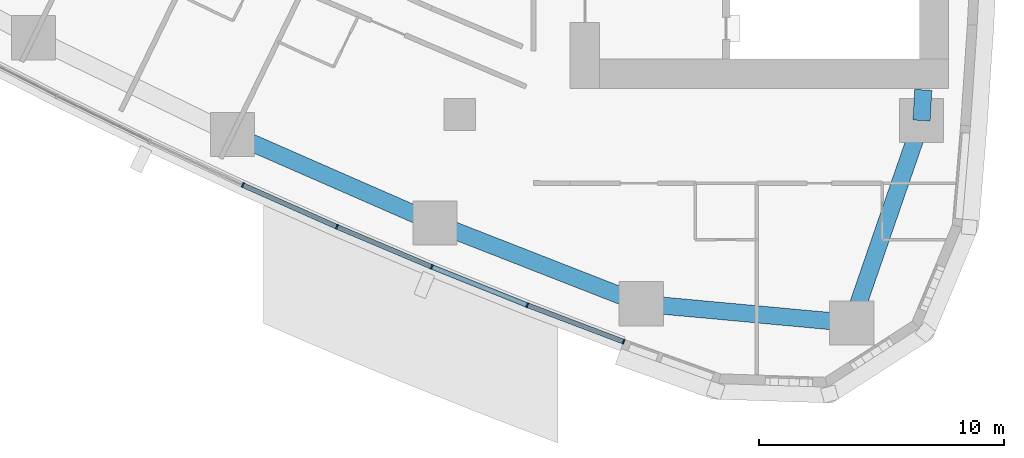
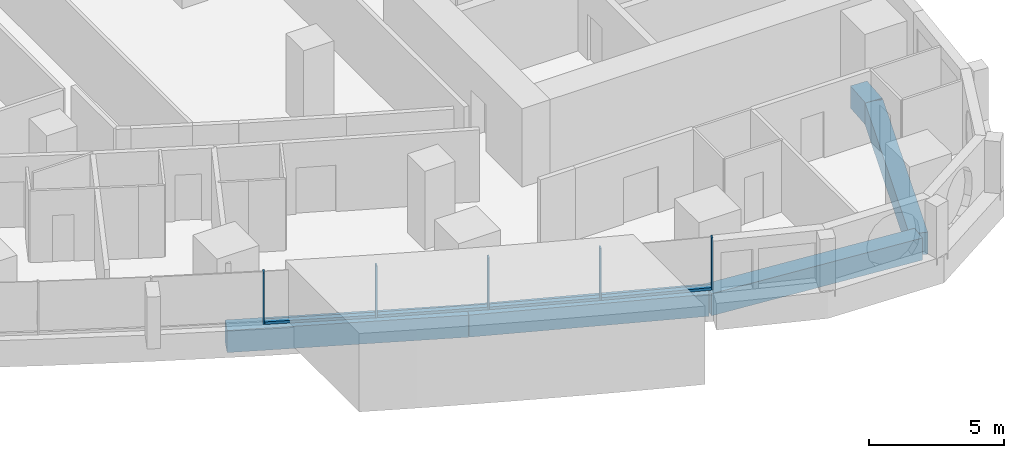
# One storey, part 3 of 19: 9 members, 5 beams, 3 elements without a shape of their own.
"""IFC4 building model written with IfcOpenShell, lengths in metres."""

import ifcopenshell
import ifcopenshell.guid

model = None  # the IFC model being written
_history = None  # IfcOwnerHistory: only IFC2X3 demands one
_inside = {}  # id of a spatial element -> (the spatial element, [elements in it])
_under = {}  # id of a project, library or spatial element -> (it, [spatial elements below it])
_declared = {}  # id of a project -> (the project, [libraries it declares])
_typed = {}  # id of a type object -> (the type object, [elements of that type])
_made_of = {}  # id of a material, layer set ... -> (it, [elements and type objects made of it])


def new_model(schema):
    """Start an empty IFC model of exactly this schema.

    Asked for "IFC4X3", IfcOpenShell would pick the latest addendum, in which some entities
    have other attributes; the version numbers below select the first issue.
    IFC2X3 requires an IfcOwnerHistory on every rooted entity: one is made here for all.
    """
    global model, _history
    if schema == "IFC4X3":
        model = ifcopenshell.file(schema_version=(4, 3, 0, 0))
    else:
        model = ifcopenshell.file(schema=schema)
    _inside.clear()
    _under.clear()
    _declared.clear()
    _typed.clear()
    _made_of.clear()
    _history = None
    if model.schema == "IFC2X3":
        org = make("IfcOrganization", Name="unknown")
        user = make(
            "IfcPersonAndOrganization",
            ThePerson=make("IfcPerson", FamilyName="unknown"),
            TheOrganization=org,
        )
        app = make(
            "IfcApplication",
            ApplicationDeveloper=org,
            Version="unknown",
            ApplicationFullName="unknown",
            ApplicationIdentifier="unknown",
        )
        _history = make(
            "IfcOwnerHistory",
            OwningUser=user,
            OwningApplication=app,
            ChangeAction="ADDED",
            CreationDate=0,
        )
    return model


def make(cls, **values):
    """One entity of the class cls with the attributes given. An attribute that is None is left unset."""
    return model.create_entity(
        cls, **{name: value for name, value in values.items() if value is not None}
    )


def rooted(cls, **values):
    """An entity with a GlobalId (a new one), such as an element, a storey or a relation."""
    return make(cls, GlobalId=ifcopenshell.guid.new(), OwnerHistory=_history, **values)


def si_unit(unit_type, name, prefix=None):
    """IfcSIUnit, for example si_unit("LENGTHUNIT", "METRE", prefix="MILLI")."""
    return make("IfcSIUnit", UnitType=unit_type, Prefix=prefix, Name=name)


def assignment(units):
    """IfcUnitAssignment: the units of a project."""
    return None if units is None else make("IfcUnitAssignment", Units=units)


def point(xyz):
    """IfcCartesianPoint."""
    return None if xyz is None else make("IfcCartesianPoint", Coordinates=xyz)


def direction(xyz):
    """IfcDirection."""
    return None if xyz is None else make("IfcDirection", DirectionRatios=xyz)


def frame(location, z_axis=None, x_axis=None):
    """IfcAxis2Placement3D, a coordinate frame: its origin and axes. An axis left out is left unset."""
    return make(
        "IfcAxis2Placement3D",
        Location=point(location),
        Axis=direction(z_axis),
        RefDirection=direction(x_axis),
    )


def frame_2d(location, x_axis=None):
    """IfcAxis2Placement2D, a coordinate frame in the plane: its origin and x axis."""
    return make(
        "IfcAxis2Placement2D", Location=point(location), RefDirection=direction(x_axis)
    )


def origin():
    """The frame at (0, 0, 0) with its axes left unset."""
    return frame((0.0, 0.0, 0.0))


def origin_2d():
    """The frame at (0, 0) in the plane with its x axis left unset."""
    return frame_2d((0.0, 0.0))


def place(relative_to, where):
    """IfcLocalPlacement: puts the frame where relative to a parent placement (None: the world)."""
    return make(
        "IfcLocalPlacement", PlacementRelTo=relative_to, RelativePlacement=where
    )


def context(
    kind, dimensions, precision=None, world=None, true_north=None, identifier=None
):
    """IfcGeometricRepresentationContext, for example the 3D "Model" context."""
    return make(
        "IfcGeometricRepresentationContext",
        ContextIdentifier=identifier,
        ContextType=kind,
        CoordinateSpaceDimension=dimensions,
        Precision=precision,
        WorldCoordinateSystem=world,
        TrueNorth=true_north,
    )


def subcontext(parent, identifier, kind, view, scale=None):
    """IfcGeometricRepresentationSubContext, for example "Body" below "Model"."""
    return make(
        "IfcGeometricRepresentationSubContext",
        ContextIdentifier=identifier,
        ContextType=kind,
        ParentContext=parent,
        TargetScale=scale,
        TargetView=view,
    )


def project(units=None, contexts=None):
    """IfcProject with its units and contexts."""
    return rooted(
        "IfcProject",
        Name="project",
        RepresentationContexts=contexts,
        UnitsInContext=assignment(units),
    )


def spatial(cls, under=None, at=None, **own):
    """A site, building, storey or space (cls), placed at a placement, below another one or the project."""
    s = rooted(cls, ObjectPlacement=at, **own)
    if under is not None:
        _under.setdefault(under.id(), (under, []))[1].append(s)
    return s


def profile(cls, at=None, kind="AREA", **sizes):
    """A parametric profile (cls). Its sizes go by their IFC names, for example OverallWidth=200.0."""
    return make(cls, ProfileType=kind, Position=at, **sizes)


def rectangle(**sizes):
    """IfcRectangleProfileDef."""
    return profile("IfcRectangleProfileDef", **sizes)


def extrude(swept, where, along, depth):
    """IfcExtrudedAreaSolid: the profile swept, set in the frame where, extruded along a direction by depth."""
    return make(
        "IfcExtrudedAreaSolid",
        SweptArea=swept,
        Position=where,
        ExtrudedDirection=direction(along),
        Depth=depth,
    )


def shape(context_of_items, identifier, shape_type, items):
    """IfcShapeRepresentation: the items that make up one representation, for example the "Body"."""
    return make(
        "IfcShapeRepresentation",
        ContextOfItems=context_of_items,
        RepresentationIdentifier=identifier,
        RepresentationType=shape_type,
        Items=items,
    )


def material(Name=None, Category=None):
    """IfcMaterial."""
    return make("IfcMaterial", Name=Name, Category=Category)


def layer(
    of_material, thickness, ventilated=None, Name=None, Category=None, Priority=None
):
    """IfcMaterialLayer: one layer of a wall or slab, of a material (None: an air gap)."""
    return make(
        "IfcMaterialLayer",
        Material=of_material,
        LayerThickness=thickness,
        IsVentilated=ventilated,
        Name=Name,
        Category=Category,
        Priority=Priority,
    )


def layer_set(layers, Name=None):
    """IfcMaterialLayerSet."""
    return make("IfcMaterialLayerSet", MaterialLayers=layers, LayerSetName=Name)


def material_profile(
    of_material, cross_section, Name=None, Category=None, Priority=None
):
    """IfcMaterialProfile: a cross section and its material."""
    return make(
        "IfcMaterialProfile",
        Name=Name,
        Material=of_material,
        Profile=cross_section,
        Priority=Priority,
        Category=Category,
    )


def profile_set(profiles, Name=None, composite=None):
    """IfcMaterialProfileSet."""
    return make(
        "IfcMaterialProfileSet",
        Name=Name,
        MaterialProfiles=profiles,
        CompositeProfile=composite,
    )


def made_of(thing, what):
    """Note that an element or type object is made of a material, layer set ...; save() writes the relation."""
    if what is not None:
        _made_of.setdefault(what.id(), (what, []))[1].append(thing)
    return thing


def type_object(cls, material=None, **own):
    """A type object (cls), such as IfcWallType, which elements share."""
    return made_of(rooted(cls, **own), material)


def element(
    cls,
    number,
    at=None,
    inside=None,
    cuts=None,
    type_object=None,
    material=None,
    context=None,
    identifier="Body",
    shape_type=None,
    held_by="IfcProductDefinitionShape",
    body=None,
    shapes=None,
    **own,
):
    """One element of the class cls, such as IfcWall. Its Tag is "e" and its number.

    at: its placement. inside: the storey or other place that contains it. cuts: it is an
    opening in that element (IfcRelVoidsElement). A single representation is given by context,
    identifier, shape_type and body (its items); several are given by shapes. held_by: the class
    of the entity that holds the representations. save() writes the other relations.
    """
    e = rooted(cls, Tag="e%d" % number, ObjectPlacement=at, **own)
    if body is not None:
        shapes = [shape(context, identifier, shape_type, body)]
    if shapes is not None:
        e.Representation = make(held_by, Representations=shapes)
    if inside is not None:
        _inside.setdefault(inside.id(), (inside, []))[1].append(e)
    if cuts is not None:
        rooted(
            "IfcRelVoidsElement", RelatingBuildingElement=cuts, RelatedOpeningElement=e
        )
    if type_object is not None:
        _typed.setdefault(type_object.id(), (type_object, []))[1].append(e)
    return made_of(e, material)


def aggregate(whole, parts):
    """IfcRelAggregates: a whole, such as a stair, and the parts it consists of."""
    return rooted("IfcRelAggregates", RelatingObject=whole, RelatedObjects=parts)


def save(model, path):
    """Write the relations noted so far, then the file.

    IfcRelAggregates (storeys below a building ...), IfcRelContainedInSpatialStructure (elements
    in a storey), IfcRelDefinesByType, IfcRelAssociatesMaterial and IfcRelDeclares: one each for
    every whole, place, type object, material and project.
    """
    for whole, parts in _under.values():
        aggregate(whole, parts)
    for where, things in _inside.values():
        rooted(
            "IfcRelContainedInSpatialStructure",
            RelatedElements=things,
            RelatingStructure=where,
        )
    for kind, things in _typed.values():
        rooted("IfcRelDefinesByType", RelatedObjects=things, RelatingType=kind)
    for what, things in _made_of.values():
        rooted("IfcRelAssociatesMaterial", RelatedObjects=things, RelatingMaterial=what)
    for by, libraries in _declared.values():
        rooted("IfcRelDeclares", RelatingContext=by, RelatedDefinitions=libraries)
    model.write(path)


model = new_model("IFC4")

# Units and contexts
model_context = context("Model", 3, precision=1e-05, world=origin(), true_north=direction((0.0, 1.0)))
body_context = subcontext(model_context, "Body", "Model", "MODEL_VIEW")
ifc_project = project(units=[si_unit("LENGTHUNIT", "METRE"), si_unit("AREAUNIT", "SQUARE_METRE"), si_unit("VOLUMEUNIT", "CUBIC_METRE"), si_unit("PLANEANGLEUNIT", "RADIAN"), si_unit("MASSUNIT", "GRAM", prefix="KILO")], contexts=[model_context])

# Site, building, storey
site_placement = place(None, origin())
site = spatial("IfcSite", under=ifc_project, at=site_placement, CompositionType="ELEMENT")
building_placement = place(site_placement, origin())
building = spatial("IfcBuilding", under=site, at=building_placement, Name="Ostrand Prow Hotel Tower", CompositionType="ELEMENT")
storey_placement = place(building_placement, frame((0.0, 0.0, 39.60009765625)))
storey = spatial("IfcBuildingStorey", under=building, at=storey_placement, Name="L07", CompositionType="ELEMENT", Elevation=39.60009765625)

# Beams
ifc_material_1 = material(Name="Concrete C80/95", Category="concrete")
ifc_material_profile_1 = material_profile(ifc_material_1, rectangle(XDim=0.699951171875, YDim=1.0, at=origin_2d()), Name="RC 700x1000")
ifc_profile_set_1 = profile_set([ifc_material_profile_1], Name="Concrete C80/95")
beam_type = type_object("IfcBeamType", Name="Edge beam 700x1000 C80/95", PredefinedType="SPANDREL", material=ifc_profile_set_1)
for number, where, z_axis, x_axis, name in (
    (1, (35.7412109375, -18.814208984375, -0.800048828125), (0.916095776162, -0.400959510297, 0.0), (0.400959510297, 0.916095776162, 0.0), "Edge beam S4-S5"),
    (2, (43.997802734375, -22.427978515625, -0.800048828125), (0.931329480916, -0.364177701098, 0.0), (0.364177701098, 0.931329480916, 0.0), "Edge beam S5-S6"),
):
    element("IfcBeam", number, at=place(storey_placement, frame(where, z_axis=z_axis, x_axis=x_axis)), inside=storey, type_object=beam_type, Name=name, PredefinedType="SPANDREL", context=body_context, shape_type="SweptSolid", body=[
        extrude(rectangle(XDim=0.699951171875, YDim=1.0, at=origin_2d()), origin(), (0.0, 0.0, 1.0), 9.0126953125),
    ])
beam_1_placement = place(storey_placement, frame((52.3916015625, -25.710205078125, -0.800048828125), z_axis=(0.995800189514, -0.091553167961, 0.0), x_axis=(0.091553167961, 0.995800189514, 0.0)))
element("IfcBeam", 3, at=beam_1_placement, inside=storey, type_object=beam_type, Name="Edge beam S6-SE", PredefinedType="SPANDREL", context=body_context, shape_type="SweptSolid", body=[
    extrude(rectangle(XDim=0.699951171875, YDim=1.0, at=origin_2d()), origin(), (0.0, 0.0, 1.0), 8.610595703125),
])
beam_2_placement = place(storey_placement, frame((60.966064453125, -26.49853515625, -0.800048828125), z_axis=(0.326263961413, 0.945278703602, 0.0), x_axis=(-0.945278703602, 0.326263961413, 0.0)))
element("IfcBeam", 4, at=beam_2_placement, inside=storey, type_object=beam_type, Name="Edge beam SE-B1", PredefinedType="SPANDREL", context=body_context, shape_type="SweptSolid", body=[
    extrude(rectangle(XDim=0.699951171875, YDim=1.0, at=origin_2d()), origin(), (0.0, 0.0, 1.0), 8.727294921875),
])
beam_3_placement = place(storey_placement, frame((63.8134765625, -18.248779296875, -0.800048828125), z_axis=(0.056215946509, 0.998418633319, 0.0), x_axis=(-0.998418633319, 0.056215946509, 0.0)))
element("IfcBeam", 5, at=beam_3_placement, inside=storey, type_object=beam_type, Name="Edge beam B1-B2", PredefinedType="SPANDREL", context=body_context, shape_type="SweptSolid", body=[
    extrude(rectangle(XDim=0.699951171875, YDim=1.0, at=origin_2d()), origin(), (0.0, 0.0, 1.0), 1.250732421875),
])

# Curtain wall, member
ifc_material_2 = material(Name="Insulated glass in bronze anodised frame", Category="glass")
ifc_layer = layer(ifc_material_2, 0.199951171875)
ifc_layer_set = layer_set([ifc_layer], Name="Insulated glass in bronze anodised frame")
curtain_wall_type = type_object("IfcCurtainWallType", Name="Strip curtain wall, fritted glass over bronze spandrel", PredefinedType="NOTDEFINED", material=ifc_layer_set)
curtain_wall_1_placement = place(storey_placement, origin())
curtain_wall_1 = element("IfcCurtainWall", 6, at=curtain_wall_1_placement, inside=storey, type_object=curtain_wall_type, Name="CW1 run CWS3", PredefinedType="NOTDEFINED")
ifc_material_3 = material(Name="Bronze anodised aluminium", Category="aluminium")
ifc_material_profile_2 = material_profile(ifc_material_3, rectangle(XDim=0.199951171875, YDim=0.06005859375, at=origin_2d()), Name="Mullion 60x200 bronze anodised aluminium")
ifc_profile_set_2 = profile_set([ifc_material_profile_2], Name="Bronze anodised aluminium")
member_type_1 = type_object("IfcMemberType", Name="Mullion 60x200 bronze anodised aluminium", PredefinedType="MULLION", material=ifc_profile_set_2)
member_1_placement = place(storey_placement, frame((36.162109375, -20.876953125, 0.89990234375), z_axis=(0.0, 0.0, 1.0), x_axis=(0.422529678615, 0.906349088757, 0.0)))
member_1 = element("IfcMember", 7, at=member_1_placement, type_object=member_type_1, Name="CW1 mullion 3", PredefinedType="MULLION", context=body_context, shape_type="SweptSolid", body=[
    extrude(rectangle(XDim=0.199951171875, YDim=0.06005859375, at=origin_2d()), origin(), (0.0, 0.0, 1.0), 2.35009765625),
])
aggregate(curtain_wall_1, [member_1])

# Curtain wall, members
curtain_wall_2_placement = place(storey_placement, origin())
curtain_wall_2 = element("IfcCurtainWall", 8, at=curtain_wall_2_placement, inside=storey, type_object=curtain_wall_type, Name="CW1 run CWS4", PredefinedType="NOTDEFINED")
member_2_placement = place(storey_placement, frame((39.99560546875, -22.5791015625, 0.89990234375), z_axis=(0.0, 0.0, 1.0), x_axis=(0.388892418709, 0.921283173987, 0.0)))
member_2 = element("IfcMember", 9, at=member_2_placement, type_object=member_type_1, Name="CW1 mullion 2", PredefinedType="MULLION", context=body_context, shape_type="SweptSolid", body=[
    extrude(rectangle(XDim=0.199951171875, YDim=0.06005859375, at=origin_2d()), origin(), (0.0, 0.0, 1.0), 2.35009765625),
])
member_3_placement = place(storey_placement, frame((43.859619140625, -24.210205078125, 0.89990234375), z_axis=(0.0, 0.0, 1.0), x_axis=(0.388892418709, 0.921283173987, 0.0)))
member_3 = element("IfcMember", 10, at=member_3_placement, type_object=member_type_1, Name="CW1 mullion 3", PredefinedType="MULLION", context=body_context, shape_type="SweptSolid", body=[
    extrude(rectangle(XDim=0.199951171875, YDim=0.06005859375, at=origin_2d()), origin(), (0.0, 0.0, 1.0), 2.35009765625),
])

curtain_wall_3_placement = place(storey_placement, origin())
curtain_wall_3 = element("IfcCurtainWall", 11, at=curtain_wall_3_placement, inside=storey, type_object=curtain_wall_type, Name="CW1 run CWS5", PredefinedType="NOTDEFINED")
member_4_placement = place(storey_placement, frame((47.7529296875, -25.769775390625, 0.89990234375), z_axis=(0.0, 0.0, 1.0), x_axis=(0.354728407072, 0.934969388384, 0.0)))
member_4 = element("IfcMember", 12, at=member_4_placement, type_object=member_type_1, Name="CW1 mullion 2", PredefinedType="MULLION", context=body_context, shape_type="SweptSolid", body=[
    extrude(rectangle(XDim=0.199951171875, YDim=0.06005859375, at=origin_2d()), origin(), (0.0, 0.0, 1.0), 2.35009765625),
])
member_5_placement = place(storey_placement, frame((51.674560546875, -27.2578125, 0.89990234375), z_axis=(0.0, 0.0, 1.0), x_axis=(0.354728407072, 0.934969388384, 0.0)))
member_5 = element("IfcMember", 13, at=member_5_placement, type_object=member_type_1, Name="CW1 mullion 3", PredefinedType="MULLION", context=body_context, shape_type="SweptSolid", body=[
    extrude(rectangle(XDim=0.199951171875, YDim=0.06005859375, at=origin_2d()), origin(), (0.0, 0.0, 1.0), 2.35009765625),
])

# Member
ifc_material_4 = material(Name="Bronze anodised aluminium", Category="aluminium")
ifc_material_profile_3 = material_profile(ifc_material_4, rectangle(XDim=0.199951171875, YDim=0.1201171875, at=origin_2d()), Name="Transom 120x200 bronze anodised aluminium")
ifc_profile_set_3 = profile_set([ifc_material_profile_3], Name="Bronze anodised aluminium")
member_type_2 = type_object("IfcMemberType", Name="Transom 120x200 bronze anodised aluminium", PredefinedType="USERDEFINED", material=ifc_profile_set_3)
member_6_placement = place(storey_placement, frame((36.189453125, -20.88916015625, 0.9599609375), z_axis=(0.913957599094, -0.405809693156, 0.0), x_axis=(0.405809693156, 0.913957599094, 0.0)))
member_6 = element("IfcMember", 14, at=member_6_placement, type_object=member_type_2, Name="CW1 transom 1.1", ObjectType="TRANSOM", PredefinedType="USERDEFINED", context=body_context, shape_type="SweptSolid", body=[
    extrude(rectangle(XDim=0.199951171875, YDim=0.1201171875, at=origin_2d()), origin(), (0.0, 0.0, 1.0), 4.13427734375),
])

member_7_placement = place(storey_placement, frame((40.023193359375, -22.5908203125, 0.9599609375), z_axis=(0.921284828297, -0.388888499637, 0.0), x_axis=(0.388888499637, 0.921284828297, 0.0)))
member_7 = element("IfcMember", 15, at=member_7_placement, type_object=member_type_2, Name="CW1 transom 2.1", ObjectType="TRANSOM", PredefinedType="USERDEFINED", context=body_context, shape_type="SweptSolid", body=[
    extrude(rectangle(XDim=0.199951171875, YDim=0.1201171875, at=origin_2d()), origin(), (0.0, 0.0, 1.0), 4.134033203125),
])

aggregate(curtain_wall_2, [member_2, member_3, member_6, member_7])

member_8_placement = place(storey_placement, frame((43.887451171875, -24.22119140625, 0.9599609375), z_axis=(0.928264761225, -0.371920062739, 0.0), x_axis=(0.371920062739, 0.928264761225, 0.0)))
member_8 = element("IfcMember", 16, at=member_8_placement, type_object=member_type_2, Name="CW1 transom 1.1", ObjectType="TRANSOM", PredefinedType="USERDEFINED", context=body_context, shape_type="SweptSolid", body=[
    extrude(rectangle(XDim=0.199951171875, YDim=0.1201171875, at=origin_2d()), origin(), (0.0, 0.0, 1.0), 4.13427734375),
])

member_9_placement = place(storey_placement, frame((47.781005859375, -25.780517578125, 0.9599609375), z_axis=(0.93497051437, -0.354725439261, 0.0), x_axis=(0.354725439261, 0.93497051437, 0.0)))
member_9 = element("IfcMember", 17, at=member_9_placement, type_object=member_type_2, Name="CW1 transom 2.1", ObjectType="TRANSOM", PredefinedType="USERDEFINED", context=body_context, shape_type="SweptSolid", body=[
    extrude(rectangle(XDim=0.199951171875, YDim=0.1201171875, at=origin_2d()), origin(), (0.0, 0.0, 1.0), 4.13427734375),
])

aggregate(curtain_wall_3, [member_4, member_5, member_8, member_9])

save(model, "model.ifc")
